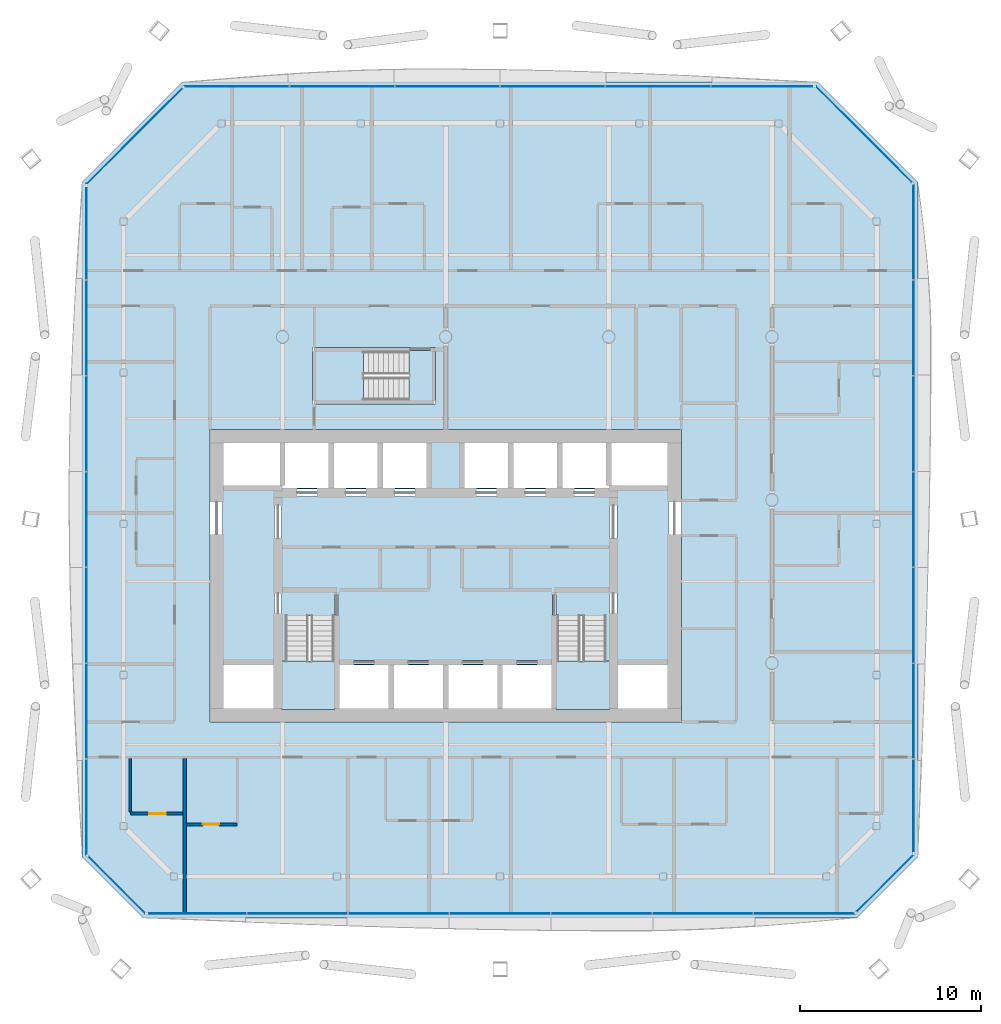
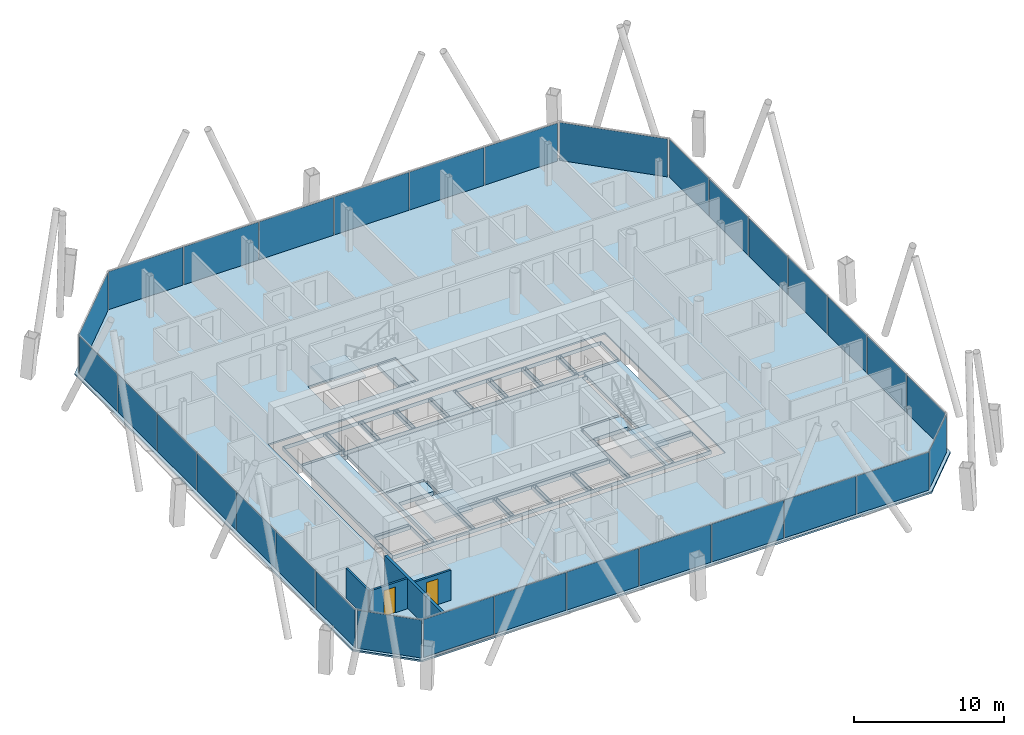
# One storey, part 13 of 23: 31 plates, 6 slabs, 4 walls, 2 doors, 2 openings, 11 elements without a shape of their own.
"""IFC4 building model written with IfcOpenShell, lengths in metres."""

import ifcopenshell
import ifcopenshell.guid

model = None  # the IFC model being written
_history = None  # IfcOwnerHistory: only IFC2X3 demands one
_inside = {}  # id of a spatial element -> (the spatial element, [elements in it])
_under = {}  # id of a project, library or spatial element -> (it, [spatial elements below it])
_declared = {}  # id of a project -> (the project, [libraries it declares])
_typed = {}  # id of a type object -> (the type object, [elements of that type])
_made_of = {}  # id of a material, layer set ... -> (it, [elements and type objects made of it])


def new_model(schema):
    """Start an empty IFC model of exactly this schema.

    Asked for "IFC4X3", IfcOpenShell would pick the latest addendum, in which some entities
    have other attributes; the version numbers below select the first issue.
    IFC2X3 requires an IfcOwnerHistory on every rooted entity: one is made here for all.
    """
    global model, _history
    if schema == "IFC4X3":
        model = ifcopenshell.file(schema_version=(4, 3, 0, 0))
    else:
        model = ifcopenshell.file(schema=schema)
    _inside.clear()
    _under.clear()
    _declared.clear()
    _typed.clear()
    _made_of.clear()
    _history = None
    if model.schema == "IFC2X3":
        org = make("IfcOrganization", Name="unknown")
        user = make(
            "IfcPersonAndOrganization",
            ThePerson=make("IfcPerson", FamilyName="unknown"),
            TheOrganization=org,
        )
        app = make(
            "IfcApplication",
            ApplicationDeveloper=org,
            Version="unknown",
            ApplicationFullName="unknown",
            ApplicationIdentifier="unknown",
        )
        _history = make(
            "IfcOwnerHistory",
            OwningUser=user,
            OwningApplication=app,
            ChangeAction="ADDED",
            CreationDate=0,
        )
    return model


def make(cls, **values):
    """One entity of the class cls with the attributes given. An attribute that is None is left unset."""
    return model.create_entity(
        cls, **{name: value for name, value in values.items() if value is not None}
    )


def rooted(cls, **values):
    """An entity with a GlobalId (a new one), such as an element, a storey or a relation."""
    return make(cls, GlobalId=ifcopenshell.guid.new(), OwnerHistory=_history, **values)


def si_unit(unit_type, name, prefix=None):
    """IfcSIUnit, for example si_unit("LENGTHUNIT", "METRE", prefix="MILLI")."""
    return make("IfcSIUnit", UnitType=unit_type, Prefix=prefix, Name=name)


def assignment(units):
    """IfcUnitAssignment: the units of a project."""
    return None if units is None else make("IfcUnitAssignment", Units=units)


def point(xyz):
    """IfcCartesianPoint."""
    return None if xyz is None else make("IfcCartesianPoint", Coordinates=xyz)


def direction(xyz):
    """IfcDirection."""
    return None if xyz is None else make("IfcDirection", DirectionRatios=xyz)


def frame(location, z_axis=None, x_axis=None):
    """IfcAxis2Placement3D, a coordinate frame: its origin and axes. An axis left out is left unset."""
    return make(
        "IfcAxis2Placement3D",
        Location=point(location),
        Axis=direction(z_axis),
        RefDirection=direction(x_axis),
    )


def frame_2d(location, x_axis=None):
    """IfcAxis2Placement2D, a coordinate frame in the plane: its origin and x axis."""
    return make(
        "IfcAxis2Placement2D", Location=point(location), RefDirection=direction(x_axis)
    )


def origin():
    """The frame at (0, 0, 0) with its axes left unset."""
    return frame((0.0, 0.0, 0.0))


def origin_2d():
    """The frame at (0, 0) in the plane with its x axis left unset."""
    return frame_2d((0.0, 0.0))


def place(relative_to, where):
    """IfcLocalPlacement: puts the frame where relative to a parent placement (None: the world)."""
    return make(
        "IfcLocalPlacement", PlacementRelTo=relative_to, RelativePlacement=where
    )


def context(
    kind, dimensions, precision=None, world=None, true_north=None, identifier=None
):
    """IfcGeometricRepresentationContext, for example the 3D "Model" context."""
    return make(
        "IfcGeometricRepresentationContext",
        ContextIdentifier=identifier,
        ContextType=kind,
        CoordinateSpaceDimension=dimensions,
        Precision=precision,
        WorldCoordinateSystem=world,
        TrueNorth=true_north,
    )


def subcontext(parent, identifier, kind, view, scale=None):
    """IfcGeometricRepresentationSubContext, for example "Body" below "Model"."""
    return make(
        "IfcGeometricRepresentationSubContext",
        ContextIdentifier=identifier,
        ContextType=kind,
        ParentContext=parent,
        TargetScale=scale,
        TargetView=view,
    )


def project(units=None, contexts=None):
    """IfcProject with its units and contexts."""
    return rooted(
        "IfcProject",
        Name="project",
        RepresentationContexts=contexts,
        UnitsInContext=assignment(units),
    )


def spatial(cls, under=None, at=None, **own):
    """A site, building, storey or space (cls), placed at a placement, below another one or the project."""
    s = rooted(cls, ObjectPlacement=at, **own)
    if under is not None:
        _under.setdefault(under.id(), (under, []))[1].append(s)
    return s


def polyline(points):
    """IfcPolyline through the points."""
    return make("IfcPolyline", Points=[point(p) for p in points])


def profile(cls, at=None, kind="AREA", **sizes):
    """A parametric profile (cls). Its sizes go by their IFC names, for example OverallWidth=200.0."""
    return make(cls, ProfileType=kind, Position=at, **sizes)


def rectangle(**sizes):
    """IfcRectangleProfileDef."""
    return profile("IfcRectangleProfileDef", **sizes)


def outline(outer, holes=None, kind="AREA"):
    """IfcArbitraryClosedProfileDef: a profile drawn as a closed curve; with holes, ...WithVoids."""
    if holes is None:
        return make("IfcArbitraryClosedProfileDef", ProfileType=kind, OuterCurve=outer)
    return make(
        "IfcArbitraryProfileDefWithVoids",
        ProfileType=kind,
        OuterCurve=outer,
        InnerCurves=holes,
    )


def extrude(swept, where, along, depth):
    """IfcExtrudedAreaSolid: the profile swept, set in the frame where, extruded along a direction by depth."""
    return make(
        "IfcExtrudedAreaSolid",
        SweptArea=swept,
        Position=where,
        ExtrudedDirection=direction(along),
        Depth=depth,
    )


def shape(context_of_items, identifier, shape_type, items):
    """IfcShapeRepresentation: the items that make up one representation, for example the "Body"."""
    return make(
        "IfcShapeRepresentation",
        ContextOfItems=context_of_items,
        RepresentationIdentifier=identifier,
        RepresentationType=shape_type,
        Items=items,
    )


def material(Name=None, Category=None):
    """IfcMaterial."""
    return make("IfcMaterial", Name=Name, Category=Category)


def layer(
    of_material, thickness, ventilated=None, Name=None, Category=None, Priority=None
):
    """IfcMaterialLayer: one layer of a wall or slab, of a material (None: an air gap)."""
    return make(
        "IfcMaterialLayer",
        Material=of_material,
        LayerThickness=thickness,
        IsVentilated=ventilated,
        Name=Name,
        Category=Category,
        Priority=Priority,
    )


def layer_set(layers, Name=None):
    """IfcMaterialLayerSet."""
    return make("IfcMaterialLayerSet", MaterialLayers=layers, LayerSetName=Name)


def made_of(thing, what):
    """Note that an element or type object is made of a material, layer set ...; save() writes the relation."""
    if what is not None:
        _made_of.setdefault(what.id(), (what, []))[1].append(thing)
    return thing


def type_object(cls, material=None, **own):
    """A type object (cls), such as IfcWallType, which elements share."""
    return made_of(rooted(cls, **own), material)


def element(
    cls,
    number,
    at=None,
    inside=None,
    cuts=None,
    type_object=None,
    material=None,
    context=None,
    identifier="Body",
    shape_type=None,
    held_by="IfcProductDefinitionShape",
    body=None,
    shapes=None,
    **own,
):
    """One element of the class cls, such as IfcWall. Its Tag is "e" and its number.

    at: its placement. inside: the storey or other place that contains it. cuts: it is an
    opening in that element (IfcRelVoidsElement). A single representation is given by context,
    identifier, shape_type and body (its items); several are given by shapes. held_by: the class
    of the entity that holds the representations. save() writes the other relations.
    """
    e = rooted(cls, Tag="e%d" % number, ObjectPlacement=at, **own)
    if body is not None:
        shapes = [shape(context, identifier, shape_type, body)]
    if shapes is not None:
        e.Representation = make(held_by, Representations=shapes)
    if inside is not None:
        _inside.setdefault(inside.id(), (inside, []))[1].append(e)
    if cuts is not None:
        rooted(
            "IfcRelVoidsElement", RelatingBuildingElement=cuts, RelatedOpeningElement=e
        )
    if type_object is not None:
        _typed.setdefault(type_object.id(), (type_object, []))[1].append(e)
    return made_of(e, material)


def fill(opening, filler):
    """IfcRelFillsElement: the door or window that sits in an opening."""
    return rooted(
        "IfcRelFillsElement",
        RelatingOpeningElement=opening,
        RelatedBuildingElement=filler,
    )


def aggregate(whole, parts):
    """IfcRelAggregates: a whole, such as a stair, and the parts it consists of."""
    return rooted("IfcRelAggregates", RelatingObject=whole, RelatedObjects=parts)


def save(model, path):
    """Write the relations noted so far, then the file.

    IfcRelAggregates (storeys below a building ...), IfcRelContainedInSpatialStructure (elements
    in a storey), IfcRelDefinesByType, IfcRelAssociatesMaterial and IfcRelDeclares: one each for
    every whole, place, type object, material and project.
    """
    for whole, parts in _under.values():
        aggregate(whole, parts)
    for where, things in _inside.values():
        rooted(
            "IfcRelContainedInSpatialStructure",
            RelatedElements=things,
            RelatingStructure=where,
        )
    for kind, things in _typed.values():
        rooted("IfcRelDefinesByType", RelatedObjects=things, RelatingType=kind)
    for what, things in _made_of.values():
        rooted("IfcRelAssociatesMaterial", RelatedObjects=things, RelatingMaterial=what)
    for by, libraries in _declared.values():
        rooted("IfcRelDeclares", RelatingContext=by, RelatedDefinitions=libraries)
    model.write(path)


model = new_model("IFC4")

# Units and contexts
model_context = context("Model", 3, precision=1e-05, world=origin(), true_north=direction((0.0, 1.0)))
body_context = subcontext(model_context, "Body", "Model", "MODEL_VIEW")
ifc_project = project(units=[si_unit("LENGTHUNIT", "METRE"), si_unit("AREAUNIT", "SQUARE_METRE"), si_unit("VOLUMEUNIT", "CUBIC_METRE"), si_unit("PLANEANGLEUNIT", "RADIAN"), si_unit("MASSUNIT", "GRAM", prefix="KILO")], contexts=[model_context])

# Site, building, storey
site_placement = place(None, origin())
site = spatial("IfcSite", under=ifc_project, at=site_placement, CompositionType="ELEMENT")
building_placement = place(site_placement, origin())
building = spatial("IfcBuilding", under=site, at=building_placement, Name="Tskaro Facet Tower", CompositionType="ELEMENT")
storey_placement = place(building_placement, frame((0.0, 0.0, 131.699951171875)))
storey = spatial("IfcBuildingStorey", under=building, at=storey_placement, Name="L31", CompositionType="ELEMENT", Elevation=131.699951171875)

# Slab
ifc_material_1 = material(Name="Concrete C30/37", Category="concrete")
ifc_layer_1 = layer(ifc_material_1, 0.139892578125, Name="Concrete C30/37")
ifc_layer_set_1 = layer_set([ifc_layer_1], Name="Concrete C30/37")
slab_type_1 = type_object("IfcSlabType", Name="Composite deck floor slab", PredefinedType="FLOOR", material=ifc_layer_set_1)
slab_1_placement = place(storey_placement, frame((0.0, 0.0, -0.139892578125)))
element("IfcSlab", 1, at=slab_1_placement, inside=storey, type_object=slab_type_1, Name="Floor slab FS3 L31", PredefinedType="FLOOR", context=body_context, shape_type="SweptSolid", body=[
    extrude(outline(polyline([(-16.677978515625, -23.070068359375), (22.677978515625, -23.070068359375), (26.070068359375, -19.677978515625), (26.070068359375, 17.52587890625), (20.52587890625, 23.070068359375), (-14.52587890625, 23.070068359375), (-20.070068359375, 17.52587890625), (-20.070068359375, -19.677978515625), (-16.677978515625, -23.070068359375)]), holes=[polyline([(-13.0, -12.25), (13.0, -12.25), (13.0, 3.89990234375), (-13.0, 3.89990234375), (-13.0, -12.25)]), polyline([(-7.35009765625, 5.300048828125), (-0.550048828125, 5.300048828125), (-0.550048828125, 8.39990234375), (-7.35009765625, 8.39990234375), (-7.35009765625, 5.300048828125)])]), origin(), (0.0, 0.0, 1.0), 0.139892578125),
])

# Curtain wall, plates
ifc_material_2 = material(Name="Bronze anodised aluminium 6063-T6", Category="aluminium")
curtain_wall_type = type_object("IfcCurtainWallType", Name="Bronze hotel curtain wall (FW2)", PredefinedType="NOTDEFINED", material=ifc_material_2)
curtain_wall_1_placement = place(storey_placement, origin())
curtain_wall_1 = element("IfcCurtainWall", 2, at=curtain_wall_1_placement, inside=storey, type_object=curtain_wall_type, Name="FW2 south facet L31", PredefinedType="NOTDEFINED")
ifc_material_3 = material(Name="Bronze solar control glass", Category="glass")
ifc_layer_2 = layer(ifc_material_3, 0.030029296875, Name="Bronze solar control glass")
ifc_layer_set_2 = layer_set([ifc_layer_2], Name="Bronze solar control glass")
plate_type = type_object("IfcPlateType", Name="FW2 bronze-tinted unit glazing 30", PredefinedType="CURTAIN_PANEL", material=ifc_layer_set_2)
plate_1_placement = place(storey_placement, frame((-13.7177734375, -22.820068359375, 0.0), z_axis=(0.0, 0.0, 1.0), x_axis=(1.0, 0.0, 0.0)))
plate_1 = element("IfcPlate", 3, at=plate_1_placement, type_object=plate_type, Name="FW2 south glazing 1.1", PredefinedType="CURTAIN_PANEL", context=body_context, shape_type="SweptSolid", body=[
    extrude(rectangle(XDim=5.41259765625, YDim=0.030029296875, at=origin_2d()), origin(), (0.0, 0.0, 1.0), 3.10009765625),
])
plate_2_placement = place(storey_placement, frame((-8.18505859375, -22.820068359375, 0.0), z_axis=(0.0, 0.0, 1.0), x_axis=(1.0, 0.0, 0.0)))
plate_2 = element("IfcPlate", 4, at=plate_2_placement, type_object=plate_type, Name="FW2 south glazing 2.1", PredefinedType="CURTAIN_PANEL", context=body_context, shape_type="SweptSolid", body=[
    extrude(rectangle(XDim=5.532470703125, YDim=0.030029296875, at=origin_2d()), origin(), (0.0, 0.0, 1.0), 3.10009765625),
])
plate_3_placement = place(storey_placement, frame((-2.592529296875, -22.820068359375, 0.0), z_axis=(0.0, 0.0, 1.0), x_axis=(1.0, 0.0, 0.0)))
plate_3 = element("IfcPlate", 5, at=plate_3_placement, type_object=plate_type, Name="FW2 south glazing 3.1", PredefinedType="CURTAIN_PANEL", context=body_context, shape_type="SweptSolid", body=[
    extrude(rectangle(XDim=5.532470703125, YDim=0.030029296875, at=origin_2d()), origin(), (0.0, 0.0, 1.0), 3.10009765625),
])
plate_4_placement = place(storey_placement, frame((3.0, -22.820068359375, 0.0), z_axis=(0.0, 0.0, 1.0), x_axis=(1.0, 0.0, 0.0)))
plate_4 = element("IfcPlate", 6, at=plate_4_placement, type_object=plate_type, Name="FW2 south glazing 4.1", PredefinedType="CURTAIN_PANEL", context=body_context, shape_type="SweptSolid", body=[
    extrude(rectangle(XDim=5.532470703125, YDim=0.030029296875, at=origin_2d()), origin(), (0.0, 0.0, 1.0), 3.10009765625),
])
plate_5_placement = place(storey_placement, frame((8.592529296875, -22.820068359375, 0.0), z_axis=(0.0, 0.0, 1.0), x_axis=(1.0, 0.0, 0.0)))
plate_5 = element("IfcPlate", 7, at=plate_5_placement, type_object=plate_type, Name="FW2 south glazing 5.1", PredefinedType="CURTAIN_PANEL", context=body_context, shape_type="SweptSolid", body=[
    extrude(rectangle(XDim=5.532470703125, YDim=0.030029296875, at=origin_2d()), origin(), (0.0, 0.0, 1.0), 3.10009765625),
])
plate_6_placement = place(storey_placement, frame((14.18505859375, -22.820068359375, 0.0), z_axis=(0.0, 0.0, 1.0), x_axis=(1.0, 0.0, 0.0)))
plate_6 = element("IfcPlate", 8, at=plate_6_placement, type_object=plate_type, Name="FW2 south glazing 6.1", PredefinedType="CURTAIN_PANEL", context=body_context, shape_type="SweptSolid", body=[
    extrude(rectangle(XDim=5.532470703125, YDim=0.030029296875, at=origin_2d()), origin(), (0.0, 0.0, 1.0), 3.10009765625),
])
plate_7_placement = place(storey_placement, frame((19.792724609375, -22.820068359375, 0.0), z_axis=(0.0, 0.0, 1.0), x_axis=(1.0, 0.0, 0.0)))
plate_7 = element("IfcPlate", 9, at=plate_7_placement, type_object=plate_type, Name="FW2 south glazing 7.1", PredefinedType="CURTAIN_PANEL", context=body_context, shape_type="SweptSolid", body=[
    extrude(rectangle(XDim=5.5625, YDim=0.030029296875, at=origin_2d()), origin(), (0.0, 0.0, 1.0), 3.10009765625),
])
aggregate(curtain_wall_1, [plate_1, plate_2, plate_3, plate_4, plate_5, plate_6, plate_7])

# Curtain wall, plate
curtain_wall_2_placement = place(storey_placement, origin())
curtain_wall_2 = element("IfcCurtainWall", 10, at=curtain_wall_2_placement, inside=storey, type_object=curtain_wall_type, Name="FW2 south-east facet L31", PredefinedType="NOTDEFINED")
plate_8_placement = place(storey_placement, frame((24.25, -21.14404296875, 0.0), z_axis=(0.0, 0.0, 1.0), x_axis=(0.707106781187, 0.707106781187, 0.0)))
plate_8 = element("IfcPlate", 11, at=plate_8_placement, type_object=plate_type, Name="FW2 south-east glazing 1.1", PredefinedType="CURTAIN_PANEL", context=body_context, shape_type="SweptSolid", body=[
    extrude(rectangle(XDim=4.4404296875, YDim=0.030029296875, at=origin_2d()), origin(), (0.0, 0.0, 1.0), 3.10009765625),
])
aggregate(curtain_wall_2, [plate_8])

# Curtain wall, plates
curtain_wall_3_placement = place(storey_placement, origin())
curtain_wall_3 = element("IfcCurtainWall", 12, at=curtain_wall_3_placement, inside=storey, type_object=curtain_wall_type, Name="FW2 east facet L31", PredefinedType="NOTDEFINED")
plate_9_placement = place(storey_placement, frame((25.820068359375, -16.871337890625, 0.0), z_axis=(0.0, 0.0, 1.0), x_axis=(0.0, 1.0, 0.0)))
plate_9 = element("IfcPlate", 13, at=plate_9_placement, type_object=plate_type, Name="FW2 east glazing 1.1", PredefinedType="CURTAIN_PANEL", context=body_context, shape_type="SweptSolid", body=[
    extrude(rectangle(XDim=5.105224609375, YDim=0.030029296875, at=origin_2d()), origin(), (0.0, 0.0, 1.0), 3.10009765625),
])
plate_10_placement = place(storey_placement, frame((25.820068359375, -11.646240234375, 0.0), z_axis=(0.0, 0.0, 1.0), x_axis=(0.0, 1.0, 0.0)))
plate_10 = element("IfcPlate", 14, at=plate_10_placement, type_object=plate_type, Name="FW2 east glazing 2.1", PredefinedType="CURTAIN_PANEL", context=body_context, shape_type="SweptSolid", body=[
    extrude(rectangle(XDim=5.22509765625, YDim=0.030029296875, at=origin_2d()), origin(), (0.0, 0.0, 1.0), 3.10009765625),
])
plate_11_placement = place(storey_placement, frame((25.820068359375, -6.361083984375, 0.0), z_axis=(0.0, 0.0, 1.0), x_axis=(0.0, 1.0, 0.0)))
plate_11 = element("IfcPlate", 15, at=plate_11_placement, type_object=plate_type, Name="FW2 east glazing 3.1", PredefinedType="CURTAIN_PANEL", context=body_context, shape_type="SweptSolid", body=[
    extrude(rectangle(XDim=5.22509765625, YDim=0.030029296875, at=origin_2d()), origin(), (0.0, 0.0, 1.0), 3.10009765625),
])
plate_12_placement = place(storey_placement, frame((25.820068359375, -1.075927734375, 0.0), z_axis=(0.0, 0.0, 1.0), x_axis=(0.0, 1.0, 0.0)))
plate_12 = element("IfcPlate", 16, at=plate_12_placement, type_object=plate_type, Name="FW2 east glazing 4.1", PredefinedType="CURTAIN_PANEL", context=body_context, shape_type="SweptSolid", body=[
    extrude(rectangle(XDim=5.22509765625, YDim=0.030029296875, at=origin_2d()), origin(), (0.0, 0.0, 1.0), 3.10009765625),
])
plate_13_placement = place(storey_placement, frame((25.820068359375, 4.209228515625, 0.0), z_axis=(0.0, 0.0, 1.0), x_axis=(0.0, 1.0, 0.0)))
plate_13 = element("IfcPlate", 17, at=plate_13_placement, type_object=plate_type, Name="FW2 east glazing 5.1", PredefinedType="CURTAIN_PANEL", context=body_context, shape_type="SweptSolid", body=[
    extrude(rectangle(XDim=5.22509765625, YDim=0.030029296875, at=origin_2d()), origin(), (0.0, 0.0, 1.0), 3.10009765625),
])
plate_14_placement = place(storey_placement, frame((25.820068359375, 9.494384765625, 0.0), z_axis=(0.0, 0.0, 1.0), x_axis=(0.0, 1.0, 0.0)))
plate_14 = element("IfcPlate", 18, at=plate_14_placement, type_object=plate_type, Name="FW2 east glazing 6.1", PredefinedType="CURTAIN_PANEL", context=body_context, shape_type="SweptSolid", body=[
    extrude(rectangle(XDim=5.22509765625, YDim=0.030029296875, at=origin_2d()), origin(), (0.0, 0.0, 1.0), 3.10009765625),
])
plate_15_placement = place(storey_placement, frame((25.820068359375, 14.79443359375, 0.0), z_axis=(0.0, 0.0, 1.0), x_axis=(0.0, 1.0, 0.0)))
plate_15 = element("IfcPlate", 19, at=plate_15_placement, type_object=plate_type, Name="FW2 east glazing 7.1", PredefinedType="CURTAIN_PANEL", context=body_context, shape_type="SweptSolid", body=[
    extrude(rectangle(XDim=5.255126953125, YDim=0.030029296875, at=origin_2d()), origin(), (0.0, 0.0, 1.0), 3.10009765625),
])
aggregate(curtain_wall_3, [plate_9, plate_10, plate_11, plate_12, plate_13, plate_14, plate_15])

# Curtain wall, plate
curtain_wall_4_placement = place(storey_placement, origin())
curtain_wall_4 = element("IfcCurtainWall", 20, at=curtain_wall_4_placement, inside=storey, type_object=curtain_wall_type, Name="FW2 north-east facet L31", PredefinedType="NOTDEFINED")
plate_16_placement = place(storey_placement, frame((23.06787109375, 20.174072265625, 0.0), z_axis=(0.0, 0.0, 1.0), x_axis=(-0.707106781187, 0.707106781187, 0.0)))
plate_16 = element("IfcPlate", 21, at=plate_16_placement, type_object=plate_type, Name="FW2 north-east glazing 1.1", PredefinedType="CURTAIN_PANEL", context=body_context, shape_type="SweptSolid", body=[
    extrude(rectangle(XDim=7.48388671875, YDim=0.030029296875, at=origin_2d()), origin(), (0.0, 0.0, 1.0), 3.10009765625),
])
aggregate(curtain_wall_4, [plate_16])

# Curtain wall, plates
curtain_wall_5_placement = place(storey_placement, origin())
curtain_wall_5 = element("IfcCurtainWall", 22, at=curtain_wall_5_placement, inside=storey, type_object=curtain_wall_type, Name="FW2 north facet L31", PredefinedType="NOTDEFINED")
plate_17_placement = place(storey_placement, frame((17.458251953125, 22.820068359375, 0.0), z_axis=(0.0, 0.0, 1.0), x_axis=(-1.0, 0.0, 0.0)))
plate_17 = element("IfcPlate", 23, at=plate_17_placement, type_object=plate_type, Name="FW2 north glazing 1.1", PredefinedType="CURTAIN_PANEL", context=body_context, shape_type="SweptSolid", body=[
    extrude(rectangle(XDim=5.62744140625, YDim=0.030029296875, at=origin_2d()), origin(), (0.0, 0.0, 1.0), 3.10009765625),
])
plate_18_placement = place(storey_placement, frame((11.7109375, 22.820068359375, 0.0), z_axis=(0.0, 0.0, 1.0), x_axis=(-1.0, 0.0, 0.0)))
plate_18 = element("IfcPlate", 24, at=plate_18_placement, type_object=plate_type, Name="FW2 north glazing 2.1", PredefinedType="CURTAIN_PANEL", context=body_context, shape_type="SweptSolid", body=[
    extrude(rectangle(XDim=5.747314453125, YDim=0.030029296875, at=origin_2d()), origin(), (0.0, 0.0, 1.0), 3.10009765625),
])
plate_19_placement = place(storey_placement, frame((5.903564453125, 22.820068359375, 0.0), z_axis=(0.0, 0.0, 1.0), x_axis=(-1.0, 0.0, 0.0)))
plate_19 = element("IfcPlate", 25, at=plate_19_placement, type_object=plate_type, Name="FW2 north glazing 3.1", PredefinedType="CURTAIN_PANEL", context=body_context, shape_type="SweptSolid", body=[
    extrude(rectangle(XDim=5.747314453125, YDim=0.030029296875, at=origin_2d()), origin(), (0.0, 0.0, 1.0), 3.10009765625),
])
plate_20_placement = place(storey_placement, frame((0.096435546875, 22.820068359375, 0.0), z_axis=(0.0, 0.0, 1.0), x_axis=(-1.0, 0.0, 0.0)))
plate_20 = element("IfcPlate", 26, at=plate_20_placement, type_object=plate_type, Name="FW2 north glazing 4.1", PredefinedType="CURTAIN_PANEL", context=body_context, shape_type="SweptSolid", body=[
    extrude(rectangle(XDim=5.747314453125, YDim=0.030029296875, at=origin_2d()), origin(), (0.0, 0.0, 1.0), 3.10009765625),
])
plate_21_placement = place(storey_placement, frame((-5.7109375, 22.820068359375, 0.0), z_axis=(0.0, 0.0, 1.0), x_axis=(-1.0, 0.0, 0.0)))
plate_21 = element("IfcPlate", 27, at=plate_21_placement, type_object=plate_type, Name="FW2 north glazing 5.1", PredefinedType="CURTAIN_PANEL", context=body_context, shape_type="SweptSolid", body=[
    extrude(rectangle(XDim=5.747314453125, YDim=0.030029296875, at=origin_2d()), origin(), (0.0, 0.0, 1.0), 3.10009765625),
])
plate_22_placement = place(storey_placement, frame((-11.533447265625, 22.820068359375, 0.0), z_axis=(0.0, 0.0, 1.0), x_axis=(-1.0, 0.0, 0.0)))
plate_22 = element("IfcPlate", 28, at=plate_22_placement, type_object=plate_type, Name="FW2 north glazing 6.1", PredefinedType="CURTAIN_PANEL", context=body_context, shape_type="SweptSolid", body=[
    extrude(rectangle(XDim=5.77734375, YDim=0.030029296875, at=origin_2d()), origin(), (0.0, 0.0, 1.0), 3.10009765625),
])
aggregate(curtain_wall_5, [plate_17, plate_18, plate_19, plate_20, plate_21, plate_22])

# Curtain wall, plate
curtain_wall_6_placement = place(storey_placement, origin())
curtain_wall_6 = element("IfcCurtainWall", 29, at=curtain_wall_6_placement, inside=storey, type_object=curtain_wall_type, Name="FW2 north-west facet L31", PredefinedType="NOTDEFINED")
plate_23_placement = place(storey_placement, frame((-17.174072265625, 20.06787109375, 0.0), z_axis=(0.0, 0.0, 1.0), x_axis=(-0.707106781187, -0.707106781187, 0.0)))
plate_23 = element("IfcPlate", 30, at=plate_23_placement, type_object=plate_type, Name="FW2 north-west glazing 1.1", PredefinedType="CURTAIN_PANEL", context=body_context, shape_type="SweptSolid", body=[
    extrude(rectangle(XDim=7.48388671875, YDim=0.030029296875, at=origin_2d()), origin(), (0.0, 0.0, 1.0), 3.10009765625),
])
aggregate(curtain_wall_6, [plate_23])

# Curtain wall, plates
curtain_wall_7_placement = place(storey_placement, origin())
curtain_wall_7 = element("IfcCurtainWall", 31, at=curtain_wall_7_placement, inside=storey, type_object=curtain_wall_type, Name="FW2 west facet L31", PredefinedType="NOTDEFINED")
plate_24_placement = place(storey_placement, frame((-19.820068359375, 14.719482421875, 0.0), z_axis=(0.0, 0.0, 1.0), x_axis=(0.0, -1.0, 0.0)))
plate_24 = element("IfcPlate", 32, at=plate_24_placement, type_object=plate_type, Name="FW2 west glazing 1.1", PredefinedType="CURTAIN_PANEL", context=body_context, shape_type="SweptSolid", body=[
    extrude(rectangle(XDim=5.105224609375, YDim=0.030029296875, at=origin_2d()), origin(), (0.0, 0.0, 1.0), 3.10009765625),
])
plate_25_placement = place(storey_placement, frame((-19.820068359375, 9.494384765625, 0.0), z_axis=(0.0, 0.0, 1.0), x_axis=(0.0, -1.0, 0.0)))
plate_25 = element("IfcPlate", 33, at=plate_25_placement, type_object=plate_type, Name="FW2 west glazing 2.1", PredefinedType="CURTAIN_PANEL", context=body_context, shape_type="SweptSolid", body=[
    extrude(rectangle(XDim=5.22509765625, YDim=0.030029296875, at=origin_2d()), origin(), (0.0, 0.0, 1.0), 3.10009765625),
])
plate_26_placement = place(storey_placement, frame((-19.820068359375, 4.209228515625, 0.0), z_axis=(0.0, 0.0, 1.0), x_axis=(0.0, -1.0, 0.0)))
plate_26 = element("IfcPlate", 34, at=plate_26_placement, type_object=plate_type, Name="FW2 west glazing 3.1", PredefinedType="CURTAIN_PANEL", context=body_context, shape_type="SweptSolid", body=[
    extrude(rectangle(XDim=5.22509765625, YDim=0.030029296875, at=origin_2d()), origin(), (0.0, 0.0, 1.0), 3.10009765625),
])
plate_27_placement = place(storey_placement, frame((-19.820068359375, -1.075927734375, 0.0), z_axis=(0.0, 0.0, 1.0), x_axis=(0.0, -1.0, 0.0)))
plate_27 = element("IfcPlate", 35, at=plate_27_placement, type_object=plate_type, Name="FW2 west glazing 4.1", PredefinedType="CURTAIN_PANEL", context=body_context, shape_type="SweptSolid", body=[
    extrude(rectangle(XDim=5.22509765625, YDim=0.030029296875, at=origin_2d()), origin(), (0.0, 0.0, 1.0), 3.10009765625),
])
plate_28_placement = place(storey_placement, frame((-19.820068359375, -6.361083984375, 0.0), z_axis=(0.0, 0.0, 1.0), x_axis=(0.0, -1.0, 0.0)))
plate_28 = element("IfcPlate", 36, at=plate_28_placement, type_object=plate_type, Name="FW2 west glazing 5.1", PredefinedType="CURTAIN_PANEL", context=body_context, shape_type="SweptSolid", body=[
    extrude(rectangle(XDim=5.22509765625, YDim=0.030029296875, at=origin_2d()), origin(), (0.0, 0.0, 1.0), 3.10009765625),
])
plate_29_placement = place(storey_placement, frame((-19.820068359375, -11.646240234375, 0.0), z_axis=(0.0, 0.0, 1.0), x_axis=(0.0, -1.0, 0.0)))
plate_29 = element("IfcPlate", 37, at=plate_29_placement, type_object=plate_type, Name="FW2 west glazing 6.1", PredefinedType="CURTAIN_PANEL", context=body_context, shape_type="SweptSolid", body=[
    extrude(rectangle(XDim=5.22509765625, YDim=0.030029296875, at=origin_2d()), origin(), (0.0, 0.0, 1.0), 3.10009765625),
])
plate_30_placement = place(storey_placement, frame((-19.820068359375, -16.946533203125, 0.0), z_axis=(0.0, 0.0, 1.0), x_axis=(0.0, -1.0, 0.0)))
plate_30 = element("IfcPlate", 38, at=plate_30_placement, type_object=plate_type, Name="FW2 west glazing 7.1", PredefinedType="CURTAIN_PANEL", context=body_context, shape_type="SweptSolid", body=[
    extrude(rectangle(XDim=5.255126953125, YDim=0.030029296875, at=origin_2d()), origin(), (0.0, 0.0, 1.0), 3.10009765625),
])
aggregate(curtain_wall_7, [plate_24, plate_25, plate_26, plate_27, plate_28, plate_29, plate_30])

# Curtain wall, plate
curtain_wall_8_placement = place(storey_placement, origin())
curtain_wall_8 = element("IfcCurtainWall", 39, at=curtain_wall_8_placement, inside=storey, type_object=curtain_wall_type, Name="FW2 south-west facet L31", PredefinedType="NOTDEFINED")
plate_31_placement = place(storey_placement, frame((-18.14404296875, -21.25, 0.0), z_axis=(0.0, 0.0, 1.0), x_axis=(0.707106781187, -0.707106781187, 0.0)))
plate_31 = element("IfcPlate", 40, at=plate_31_placement, type_object=plate_type, Name="FW2 south-west glazing 1.1", PredefinedType="CURTAIN_PANEL", context=body_context, shape_type="SweptSolid", body=[
    extrude(rectangle(XDim=4.4404296875, YDim=0.030029296875, at=origin_2d()), origin(), (0.0, 0.0, 1.0), 3.10009765625),
])
aggregate(curtain_wall_8, [plate_31])

# Stair, slab
ifc_material_4 = material(Name="Concrete C40/50", Category="concrete")
stair_type = type_object("IfcStairType", Name="ST-TWR", PredefinedType="HALF_TURN_STAIR", material=ifc_material_4)
stair_1_placement = place(storey_placement, origin())
stair_1 = element("IfcStair", 41, at=stair_1_placement, inside=storey, type_object=stair_type, Name="L31 Exit stair 1", PredefinedType="HALF_TURN_STAIR")
ifc_layer_3 = layer(ifc_material_4, 0.199951171875, Name="Concrete C40/50")
ifc_layer_set_3 = layer_set([ifc_layer_3], Name="Concrete C40/50")
slab_type_2 = type_object("IfcSlabType", Name="SL-LANDING", PredefinedType="LANDING", material=ifc_layer_set_3)
slab_2_placement = place(storey_placement, frame((0.0, 0.0, 1.5)))
slab_2 = element("IfcSlab", 42, at=slab_2_placement, type_object=slab_type_2, Name="ST-1 landing 1", PredefinedType="LANDING", context=body_context, shape_type="SweptSolid", body=[
    extrude(outline(polyline([(-9.050048828125, -11.550048828125), (-6.10009765625, -11.550048828125), (-6.10009765625, -8.89501953125), (-9.050048828125, -8.89501953125), (-9.050048828125, -11.550048828125)])), origin(), (0.0, 0.0, 1.0), 0.199951171875),
])
aggregate(stair_1, [slab_2])

stair_2_placement = place(storey_placement, origin())
stair_2 = element("IfcStair", 43, at=stair_2_placement, inside=storey, type_object=stair_type, Name="L31 Exit stair 2", PredefinedType="HALF_TURN_STAIR")
slab_3_placement = place(storey_placement, frame((0.0, 0.0, 1.5)))
slab_3 = element("IfcSlab", 44, at=slab_3_placement, type_object=slab_type_2, Name="ST-2 landing 1", PredefinedType="LANDING", context=body_context, shape_type="SweptSolid", body=[
    extrude(outline(polyline([(6.10009765625, -11.550048828125), (9.050048828125, -11.550048828125), (9.050048828125, -8.89501953125), (6.10009765625, -8.89501953125), (6.10009765625, -11.550048828125)])), origin(), (0.0, 0.0, 1.0), 0.199951171875),
])
aggregate(stair_2, [slab_3])

stair_3_placement = place(storey_placement, origin())
stair_3 = element("IfcStair", 45, at=stair_3_placement, inside=storey, type_object=stair_type, Name="L31 Exit stair 3", PredefinedType="HALF_TURN_STAIR")
slab_4_placement = place(storey_placement, frame((0.0, 0.0, 1.5)))
slab_4 = element("IfcSlab", 46, at=slab_4_placement, type_object=slab_type_2, Name="ST-3 landing 1", PredefinedType="LANDING", context=body_context, shape_type="SweptSolid", body=[
    extrude(outline(polyline([(-7.199951171875, 5.449951171875), (-4.544921875, 5.449951171875), (-4.544921875, 8.25), (-7.199951171875, 8.25), (-7.199951171875, 5.449951171875)])), origin(), (0.0, 0.0, 1.0), 0.199951171875),
])
aggregate(stair_3, [slab_4])

# Slabs
ifc_material_5 = material(Name="Concrete C60/75", Category="concrete")
ifc_layer_4 = layer(ifc_material_5, 0.300048828125, Name="Concrete C60/75")
ifc_layer_set_4 = layer_set([ifc_layer_4], Name="Concrete C60/75")
slab_type_3 = type_object("IfcSlabType", Name="SLAB-CORE", PredefinedType="FLOOR", material=ifc_layer_set_4)
slab_5_placement = place(storey_placement, frame((0.0, 0.0, -0.300048828125)))
element("IfcSlab", 47, at=slab_5_placement, inside=storey, type_object=slab_type_3, Name="Core floor slab 1", PredefinedType="FLOOR", context=body_context, shape_type="SweptSolid", body=[
    extrude(outline(polyline([(-12.300048828125, 3.199951171875), (12.300048828125, 3.199951171875), (12.300048828125, 3.10009765625), (12.300048828125, -11.449951171875), (12.300048828125, -11.550048828125), (-12.300048828125, -11.550048828125), (-12.300048828125, -11.449951171875), (-12.300048828125, 3.10009765625), (-12.300048828125, 3.199951171875)]), holes=[polyline([(-9.5, -9.10009765625), (-12.25, -9.10009765625), (-12.25, -11.5), (-9.5, -11.5), (-9.5, -9.10009765625)]), polyline([(-5.85009765625, -9.10009765625), (-5.85009765625, -11.5), (-3.14990234375, -11.5), (-3.14990234375, -9.10009765625), (-5.85009765625, -9.10009765625)]), polyline([(-12.199951171875, -9.050048828125), (-9.550048828125, -9.050048828125), (-9.550048828125, -8.85009765625), (-12.199951171875, -8.85009765625), (-12.199951171875, -9.050048828125)]), polyline([(-6.10009765625, -5.14990234375), (-6.10009765625, -11.449951171875), (-5.89990234375, -11.449951171875), (-5.89990234375, -5.14990234375), (-6.10009765625, -5.14990234375)]), polyline([(-9.449951171875, 0.10009765625), (-9.449951171875, -11.449951171875), (-9.050048828125, -11.449951171875), (-9.050048828125, 0.10009765625), (-9.449951171875, 0.10009765625)]), polyline([(-8.949951171875, -5.050048828125), (-6.050048828125, -5.050048828125), (-6.050048828125, -4.85009765625), (-8.949951171875, -4.85009765625), (-8.949951171875, -5.050048828125)]), polyline([(9.449951171875, 0.199951171875), (9.449951171875, 0.550048828125), (12.199951171875, 0.550048828125), (12.199951171875, 0.75), (9.050048828125, 0.75), (9.050048828125, 0.60009765625), (-9.050048828125, 0.60009765625), (-9.050048828125, 0.75), (-12.199951171875, 0.75), (-12.199951171875, 0.550048828125), (-9.449951171875, 0.550048828125), (-9.449951171875, 0.199951171875), (9.449951171875, 0.199951171875)]), polyline([(-8.85009765625, 0.800048828125), (-9.0, 0.800048828125), (-9.0, 0.64990234375), (-6.449951171875, 0.64990234375), (-6.449951171875, 3.14990234375), (-8.85009765625, 3.14990234375), (-8.85009765625, 0.800048828125)]), polyline([(-6.14990234375, 0.64990234375), (-3.75, 0.64990234375), (-3.75, 3.14990234375), (-6.14990234375, 3.14990234375), (-6.14990234375, 0.64990234375)]), polyline([(-6.39990234375, 3.10009765625), (-6.39990234375, 0.699951171875), (-6.199951171875, 0.699951171875), (-6.199951171875, 3.10009765625), (-6.39990234375, 3.10009765625)]), polyline([(-9.14990234375, 3.14990234375), (-12.25, 3.14990234375), (-12.25, 0.800048828125), (-9.14990234375, 0.800048828125), (-9.14990234375, 3.14990234375)]), polyline([(-9.10009765625, 0.85009765625), (-8.89990234375, 0.85009765625), (-8.89990234375, 3.10009765625), (-9.10009765625, 3.10009765625), (-9.10009765625, 0.85009765625)]), polyline([(-3.10009765625, -11.449951171875), (-2.89990234375, -11.449951171875), (-2.89990234375, -9.14990234375), (-3.10009765625, -9.14990234375), (-3.10009765625, -11.449951171875)]), polyline([(-0.14990234375, -9.10009765625), (-2.85009765625, -9.10009765625), (-2.85009765625, -11.5), (-0.14990234375, -11.5), (-0.14990234375, -9.10009765625)]), polyline([(-0.10009765625, -9.14990234375), (-0.10009765625, -11.449951171875), (0.10009765625, -11.449951171875), (0.10009765625, -9.14990234375), (-0.10009765625, -9.14990234375)]), polyline([(0.14990234375, -9.10009765625), (0.14990234375, -11.5), (2.85009765625, -11.5), (2.85009765625, -9.10009765625), (0.14990234375, -9.10009765625)]), polyline([(-5.800048828125, -8.85009765625), (-5.800048828125, -9.050048828125), (5.800048828125, -9.050048828125), (5.800048828125, -8.85009765625), (-5.800048828125, -8.85009765625)]), polyline([(-1.050048828125, 0.64990234375), (-1.050048828125, 3.14990234375), (-3.449951171875, 3.14990234375), (-3.449951171875, 0.64990234375), (-1.050048828125, 0.64990234375)]), polyline([(3.449951171875, 0.64990234375), (3.449951171875, 3.14990234375), (1.050048828125, 3.14990234375), (1.050048828125, 0.64990234375), (3.449951171875, 0.64990234375)]), polyline([(-3.699951171875, 0.699951171875), (-3.5, 0.699951171875), (-3.5, 3.10009765625), (-3.699951171875, 3.10009765625), (-3.699951171875, 0.699951171875)]), polyline([(-1.0, 3.10009765625), (-1.0, 0.699951171875), (-0.800048828125, 0.699951171875), (-0.800048828125, 3.10009765625), (-1.0, 3.10009765625)]), polyline([(0.800048828125, 3.10009765625), (0.800048828125, 0.699951171875), (1.0, 0.699951171875), (1.0, 3.10009765625), (0.800048828125, 3.10009765625)]), polyline([(2.89990234375, -11.449951171875), (3.10009765625, -11.449951171875), (3.10009765625, -9.14990234375), (2.89990234375, -9.14990234375), (2.89990234375, -11.449951171875)]), polyline([(5.85009765625, -9.10009765625), (3.14990234375, -9.10009765625), (3.14990234375, -11.5), (5.85009765625, -11.5), (5.85009765625, -9.10009765625)]), polyline([(12.25, -11.5), (12.25, -9.10009765625), (9.5, -9.10009765625), (9.5, -11.5), (12.25, -11.5)]), polyline([(9.550048828125, -9.050048828125), (12.199951171875, -9.050048828125), (12.199951171875, -8.85009765625), (9.550048828125, -8.85009765625), (9.550048828125, -9.050048828125)]), polyline([(5.89990234375, -5.14990234375), (5.89990234375, -11.449951171875), (6.10009765625, -11.449951171875), (6.10009765625, -5.14990234375), (5.89990234375, -5.14990234375)]), polyline([(9.050048828125, 0.10009765625), (9.050048828125, -11.449951171875), (9.449951171875, -11.449951171875), (9.449951171875, 0.10009765625), (9.050048828125, 0.10009765625)]), polyline([(6.050048828125, -5.050048828125), (8.949951171875, -5.050048828125), (8.949951171875, -4.85009765625), (6.050048828125, -4.85009765625), (6.050048828125, -5.050048828125)]), polyline([(6.14990234375, 0.64990234375), (6.14990234375, 3.14990234375), (3.75, 3.14990234375), (3.75, 0.64990234375), (6.14990234375, 0.64990234375)]), polyline([(9.0, 0.800048828125), (8.85009765625, 0.800048828125), (8.85009765625, 3.14990234375), (6.449951171875, 3.14990234375), (6.449951171875, 0.64990234375), (9.0, 0.64990234375), (9.0, 0.800048828125)]), polyline([(3.5, 3.10009765625), (3.5, 0.699951171875), (3.699951171875, 0.699951171875), (3.699951171875, 3.10009765625), (3.5, 3.10009765625)]), polyline([(6.199951171875, 0.699951171875), (6.39990234375, 0.699951171875), (6.39990234375, 3.10009765625), (6.199951171875, 3.10009765625), (6.199951171875, 0.699951171875)]), polyline([(8.89990234375, 3.10009765625), (8.89990234375, 0.85009765625), (9.10009765625, 0.85009765625), (9.10009765625, 3.10009765625), (8.89990234375, 3.10009765625)]), polyline([(9.14990234375, 0.800048828125), (12.25, 0.800048828125), (12.25, 3.14990234375), (9.14990234375, 3.14990234375), (9.14990234375, 0.800048828125)]), polyline([(-8.85009765625, -11.5), (-6.14990234375, -11.5), (-6.14990234375, -6.39501953125), (-8.85009765625, -6.39501953125), (-8.85009765625, -11.5)]), polyline([(6.14990234375, -6.39501953125), (6.14990234375, -11.5), (8.85009765625, -11.5), (8.85009765625, -6.39501953125), (6.14990234375, -6.39501953125)])]), origin(), (0.0, 0.0, 1.0), 0.300048828125),
])
slab_6_placement = place(storey_placement, frame((0.0, 0.0, -0.300048828125)))
element("IfcSlab", 48, at=slab_6_placement, inside=storey, type_object=slab_type_3, Name="Stair 3 floor landing 1", PredefinedType="FLOOR", context=body_context, shape_type="SweptSolid", body=[
    extrude(outline(polyline([(-2.02490234375, 5.449951171875), (-0.699951171875, 5.449951171875), (-0.699951171875, 8.25), (-2.02490234375, 8.25), (-2.02490234375, 5.449951171875)])), origin(), (0.0, 0.0, 1.0), 0.300048828125),
])

# Wall, opening, door
ifc_material_6 = material(Name="Gypsum board on steel studs", Category="steel")
ifc_layer_5 = layer(ifc_material_6, 0.14990234375, Name="Gypsum board on steel studs")
ifc_layer_set_5 = layer_set([ifc_layer_5], Name="Gypsum board on steel studs")
wall_type_1 = type_object("IfcWallType", Name="PART-CORR", PredefinedType="PARTITIONING", material=ifc_layer_set_5)
wall_1_placement = place(storey_placement, frame((-14.299072265625, -17.89990234375, 0.0), z_axis=(0.0, 0.0, 1.0), x_axis=(1.0, 0.0, 0.0)))
wall_1 = element("IfcWall", 49, at=wall_1_placement, inside=storey, type_object=wall_type_1, Name="Corridor wall W001", PredefinedType="PARTITIONING", context=body_context, shape_type="SweptSolid", body=[
    extrude(rectangle(XDim=2.800048828125, YDim=0.14990234375, at=frame_2d((1.39990234375, 0.0))), origin(), (0.0, 0.0, 1.0), 2.4599609375),
])
opening_1_placement = place(wall_1_placement, frame((0.89990234375, 0.0, 0.0)))
opening_1 = element("IfcOpeningElement", 50, at=opening_1_placement, cuts=wall_1, Name="Opening T9-D01", PredefinedType="OPENING", context=body_context, shape_type="SweptSolid", body=[
    extrude(rectangle(XDim=0.89990234375, YDim=2.10009765625, at=frame_2d((0.449951171875, 1.050048828125))), frame((0.0, 0.0849609375, 0.0), z_axis=(0.0, -1.0, 0.0), x_axis=(1.0, 0.0, 0.0)), (0.0, 0.0, 1.0), 0.169921875),
])
ifc_material_7 = material(Name="Timber", Category="wood")
door_type = type_object("IfcDoorType", Name="D-ROOM", OperationType="NOTDEFINED", PredefinedType="DOOR", material=ifc_material_7)
door_1_placement = place(opening_1_placement, origin())
door_1 = element("IfcDoor", 51, at=door_1_placement, inside=storey, type_object=door_type, Name="Door T9-D01", OperationType="SINGLE_SWING_LEFT", OverallHeight=2.10009765625, OverallWidth=0.89990234375, PredefinedType="DOOR", context=body_context, shape_type="SweptSolid", body=[
    extrude(rectangle(XDim=0.89990234375, YDim=2.10009765625, at=frame_2d((0.449951171875, 1.050048828125))), frame((0.0, 0.02490234375, 0.0), z_axis=(0.0, -1.0, 0.0), x_axis=(1.0, 0.0, 0.0)), (0.0, 0.0, 1.0), 0.050048828125),
])
fill(opening_1, door_1)

wall_2_placement = place(storey_placement, frame((-17.39892578125, -17.300048828125, 0.0), z_axis=(0.0, 0.0, 1.0), x_axis=(1.0, 0.0, 0.0)))
wall_2 = element("IfcWall", 52, at=wall_2_placement, inside=storey, type_object=wall_type_1, Name="Corridor wall W004", PredefinedType="PARTITIONING", context=body_context, shape_type="SweptSolid", body=[
    extrude(rectangle(XDim=2.89990234375, YDim=0.14990234375, at=frame_2d((1.449951171875, 0.0))), origin(), (0.0, 0.0, 1.0), 2.4599609375),
])
opening_2_placement = place(wall_2_placement, frame((1.050048828125, 0.0, 0.0)))
opening_2 = element("IfcOpeningElement", 53, at=opening_2_placement, cuts=wall_2, Name="Opening T9-D06", PredefinedType="OPENING", context=body_context, shape_type="SweptSolid", body=[
    extrude(rectangle(XDim=0.89990234375, YDim=2.10009765625, at=frame_2d((0.449951171875, 1.050048828125))), frame((0.0, 0.0849609375, 0.0), z_axis=(0.0, -1.0, 0.0), x_axis=(1.0, 0.0, 0.0)), (0.0, 0.0, 1.0), 0.169921875),
])
door_2_placement = place(opening_2_placement, origin())
door_2 = element("IfcDoor", 54, at=door_2_placement, inside=storey, type_object=door_type, Name="Door T9-D06", OperationType="SINGLE_SWING_LEFT", OverallHeight=2.10009765625, OverallWidth=0.89990234375, PredefinedType="DOOR", context=body_context, shape_type="SweptSolid", body=[
    extrude(rectangle(XDim=0.89990234375, YDim=2.10009765625, at=frame_2d((0.449951171875, 1.050048828125))), frame((0.0, 0.02490234375, 0.0), z_axis=(0.0, -1.0, 0.0), x_axis=(1.0, 0.0, 0.0)), (0.0, 0.0, 1.0), 0.050048828125),
])
fill(opening_2, door_2)

# Walls
wall_3_placement = place(storey_placement, frame((-17.39892578125, -17.22509765625, 0.0), z_axis=(0.0, 0.0, 1.0), x_axis=(0.0, 1.0, 0.0)))
element("IfcWall", 55, at=wall_3_placement, inside=storey, type_object=wall_type_1, Name="Corridor wall W051", PredefinedType="PARTITIONING", context=body_context, shape_type="SweptSolid", body=[
    extrude(rectangle(XDim=2.9501953125, YDim=0.14990234375, at=frame_2d((1.47509765625, 0.0))), origin(), (0.0, 0.0, 1.0), 2.4599609375),
])
ifc_layer_6 = layer(ifc_material_6, 0.199951171875, Name="Gypsum board on steel studs")
ifc_layer_set_6 = layer_set([ifc_layer_6], Name="Gypsum board on steel studs")
wall_type_2 = type_object("IfcWallType", Name="PART-DEMISING", PredefinedType="PARTITIONING", material=ifc_layer_set_6)
wall_4_placement = place(storey_placement, frame((-14.39892578125, -22.77001953125, 0.0), z_axis=(0.0, 0.0, 1.0), x_axis=(0.0, 1.0, 0.0)))
element("IfcWall", 56, at=wall_4_placement, inside=storey, type_object=wall_type_2, Name="Guest room wall W055", PredefinedType="PARTITIONING", context=body_context, shape_type="SweptSolid", body=[
    extrude(rectangle(XDim=8.4951171875, YDim=0.199951171875, at=frame_2d((4.24755859375, 0.0))), origin(), (0.0, 0.0, 1.0), 2.4599609375),
])

save(model, "model.ifc")
